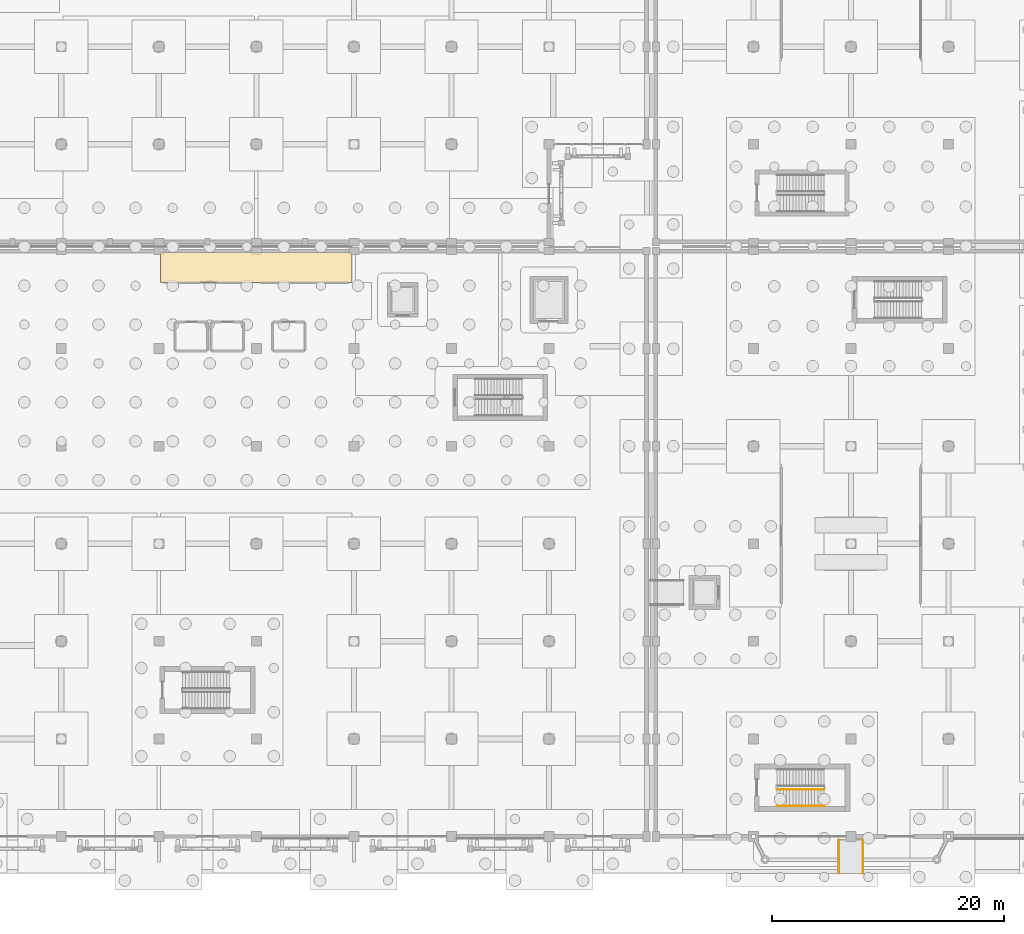
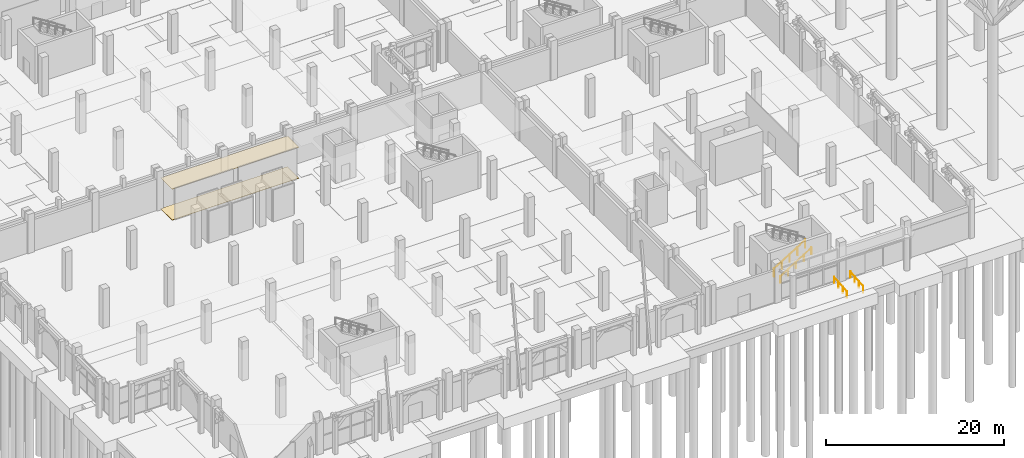
# One storey, part 82 of 98: 4 railings, 2 coverings.
"""IFC4 building model written with IfcOpenShell, lengths in metres."""

from ifc_helpers import new_model, si_unit, direction, frame, origin, origin_2d, place, context, subcontext, project, spatial, polyline, circle, outline, extrude, material, layer, layer_set, type_object, element, save


model = new_model("IFC4")

# Units and contexts
model_context = context("Model", 3, precision=1e-05, world=origin(), true_north=direction((0.0, 1.0)))
body_context = subcontext(model_context, "Body", "Model", "MODEL_VIEW")
ifc_project = project(units=[si_unit("LENGTHUNIT", "METRE"), si_unit("AREAUNIT", "SQUARE_METRE"), si_unit("VOLUMEUNIT", "CUBIC_METRE"), si_unit("PLANEANGLEUNIT", "RADIAN"), si_unit("MASSUNIT", "GRAM", prefix="KILO")], contexts=[model_context])

# Site, building, storey
site_placement = place(None, origin())
site = spatial("IfcSite", under=ifc_project, at=site_placement, CompositionType="ELEMENT")
building_placement = place(site_placement, origin())
building = spatial("IfcBuilding", under=site, at=building_placement, Name="Xazarin Passage Department Store", CompositionType="ELEMENT")
storey_placement = place(building_placement, origin())
storey = spatial("IfcBuildingStorey", under=building, at=storey_placement, Name="L00", CompositionType="ELEMENT", Elevation=0.0)

# Coverings
ifc_material_1 = material(Name="Acoustic mineral ceiling")
ifc_layer_1 = layer(ifc_material_1, 0.0400390625)
ifc_layer_set_1 = layer_set([ifc_layer_1], Name="Acoustic mineral ceiling")
covering_type_1 = type_object("IfcCoveringType", Name="ARC-COV-CLG040", PredefinedType="CEILING", material=ifc_layer_set_1)
covering_1_placement = place(storey_placement, frame((0.0, 0.0, 4.239990234375)))
element("IfcCovering", 1, at=covering_1_placement, inside=storey, type_object=covering_type_1, Name="L00 Food Hall Acoustic Ceiling", PredefinedType="CEILING", context=body_context, shape_type="SweptSolid", body=[
    extrude(outline(polyline([(25.35009765625, 47.699951171875), (41.85009765625, 47.699951171875), (41.85009765625, 50.300048828125), (25.35009765625, 50.300048828125), (25.35009765625, 47.699951171875)])), origin(), (0.0, 0.0, 1.0), 0.0400390625),
])
ifc_material_2 = material(Name="Terrazzo stone flooring", Category="masonry")
ifc_layer_2 = layer(ifc_material_2, 0.034912109375)
ifc_layer_set_2 = layer_set([ifc_layer_2], Name="Terrazzo stone flooring")
covering_type_2 = type_object("IfcCoveringType", Name="ARC-COV-FLR035", PredefinedType="FLOORING", material=ifc_layer_set_2)
covering_2_placement = place(storey_placement, origin())
element("IfcCovering", 2, at=covering_2_placement, inside=storey, type_object=covering_type_2, Name="L00 Food Hall Terrazzo Flooring", PredefinedType="FLOORING", context=body_context, shape_type="SweptSolid", body=[
    extrude(outline(polyline([(25.35009765625, 47.699951171875), (41.85009765625, 47.699951171875), (41.85009765625, 50.300048828125), (25.35009765625, 50.300048828125), (25.35009765625, 47.699951171875)])), origin(), (0.0, 0.0, 1.0), 0.034912109375),
])

# Railings
ifc_material_3 = material(Name="Steel S355", Category="steel")
railing_type_1 = type_object("IfcRailingType", Name="ARC-RL-GRD112", PredefinedType="GUARDRAIL", material=ifc_material_3)
railing_1_placement = place(storey_placement, frame((78.43994140625, 4.050048828125, 0.168701171875)))
element("IfcRailing", 3, at=railing_1_placement, inside=storey, type_object=railing_type_1, Name="L00 ST4 stair guard 1", PredefinedType="GUARDRAIL", context=body_context, shape_type="SweptSolid", body=[
    extrude(circle(Radius=0.02392578125, at=origin_2d()), frame((0.0, 0.0, 1.076171875), z_axis=(0.848001175806, 0.0, 0.529994345094), x_axis=(0.0, 1.0, 0.0)), (0.0, 0.0, 1.0), 4.77587890625),
    extrude(circle(Radius=0.02099609375, at=origin_2d()), origin(), (0.0, 0.0, 1.0), 1.0517578125),
    extrude(circle(Radius=0.02099609375, at=origin_2d()), frame((1.012451171875, 0.0, 0.6328125)), (0.0, 0.0, 1.0), 1.0517578125),
    extrude(circle(Radius=0.02099609375, at=origin_2d()), frame((2.02490234375, 0.0, 1.265625)), (0.0, 0.0, 1.0), 1.0517578125),
    extrude(circle(Radius=0.02099609375, at=origin_2d()), frame((3.03759765625, 0.0, 1.8984375)), (0.0, 0.0, 1.0), 1.0517578125),
    extrude(circle(Radius=0.02099609375, at=origin_2d()), frame((4.050048828125, 0.0, 2.53125)), (0.0, 0.0, 1.0), 1.0517578125),
])
railing_type_2 = type_object("IfcRailingType", Name="ARC-RL-HND090", PredefinedType="HANDRAIL", material=ifc_material_3)
for number, where, name in (
    (4, (83.75, -3.179931640625, -0.239990234375), "RMP-02 Left Handrail"),
    (5, (85.85009765625, -3.179931640625, -0.239990234375), "RMP-02 Right Handrail"),
):
    element("IfcRailing", number, at=place(storey_placement, frame(where)), inside=storey, type_object=railing_type_2, Name=name, PredefinedType="HANDRAIL", context=body_context, shape_type="SweptSolid", body=[
        extrude(circle(Radius=0.02392578125, at=origin_2d()), frame((0.0, 0.0, 0.8759765625), z_axis=(0.0, 0.996545758245, 0.083045479854), x_axis=(-1.0, 0.0, 0.0)), (0.0, 0.0, 1.0), 2.889892578125),
        extrude(circle(Radius=0.02099609375, at=origin_2d()), origin(), (0.0, 0.0, 1.0), 0.8515625),
        extrude(circle(Radius=0.02099609375, at=origin_2d()), frame((0.0, 0.9599609375, 0.080078125)), (0.0, 0.0, 1.0), 0.8515625),
        extrude(circle(Radius=0.02099609375, at=origin_2d()), frame((0.0, 1.919921875, 0.159912109375)), (0.0, 0.0, 1.0), 0.8515625),
        extrude(circle(Radius=0.02099609375, at=origin_2d()), frame((0.0, 2.8798828125, 0.239990234375)), (0.0, 0.0, 1.0), 0.8515625),
    ])
railing_2_placement = place(storey_placement, frame((78.43994140625, 2.6298828125, 0.168701171875)))
element("IfcRailing", 6, at=railing_2_placement, inside=storey, type_object=railing_type_2, Name="L00 ST4 stair handrail 1", PredefinedType="HANDRAIL", context=body_context, shape_type="SweptSolid", body=[
    extrude(circle(Radius=0.02392578125, at=origin_2d()), frame((0.0, 0.0, 0.8759765625), z_axis=(0.848001175806, 0.0, 0.529994345094), x_axis=(0.0, 1.0, 0.0)), (0.0, 0.0, 1.0), 4.77587890625),
    extrude(circle(Radius=0.02099609375, at=origin_2d()), origin(), (0.0, 0.0, 1.0), 0.8515625),
    extrude(circle(Radius=0.02099609375, at=origin_2d()), frame((1.012451171875, 0.0, 0.6328125)), (0.0, 0.0, 1.0), 0.8515625),
    extrude(circle(Radius=0.02099609375, at=origin_2d()), frame((2.02490234375, 0.0, 1.265625)), (0.0, 0.0, 1.0), 0.8515625),
    extrude(circle(Radius=0.02099609375, at=origin_2d()), frame((3.03759765625, 0.0, 1.8984375)), (0.0, 0.0, 1.0), 0.8515625),
    extrude(circle(Radius=0.02099609375, at=origin_2d()), frame((4.050048828125, 0.0, 2.53125)), (0.0, 0.0, 1.0), 0.8515625),
])

save(model, "model.ifc")
